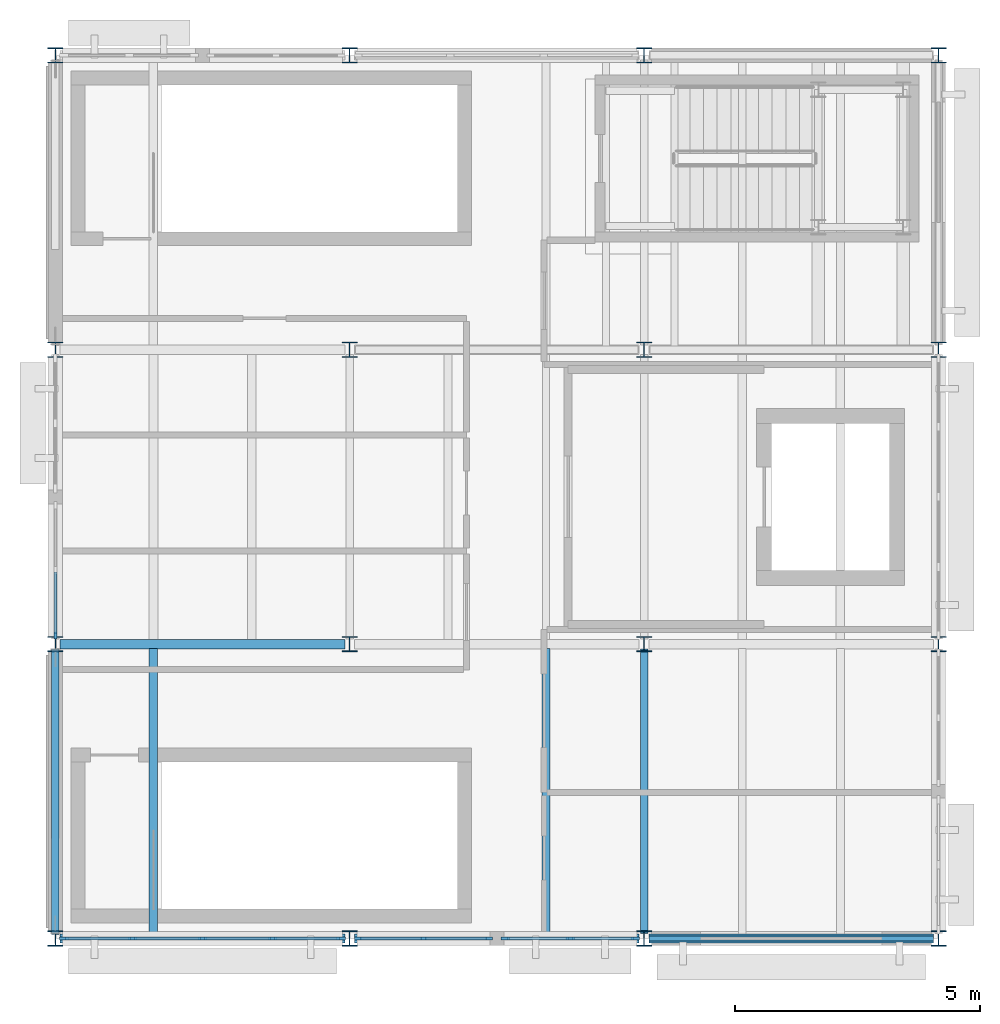
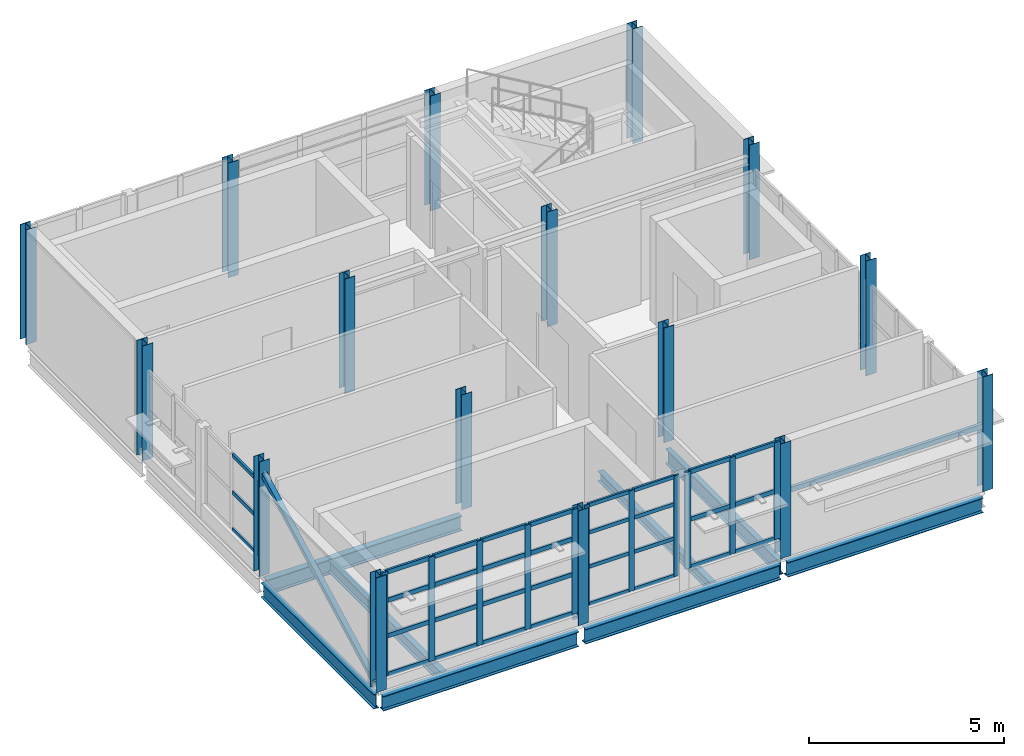
# One storey, part 1 of 8: 46 members, 16 columns, 9 beams, 4 elements without a shape of their own.
"""IFC4 building model written with IfcOpenShell, lengths in metres."""

from ifc_helpers import new_model, si_unit, direction, frame, origin, origin_2d, place, context, subcontext, project, spatial, rectangle, hollow_rectangle, i_section, extrude, material, material_profile, profile_set, type_object, element, aggregate, save


model = new_model("IFC4")

# Units and contexts
model_context = context("Model", 3, precision=1e-05, world=origin(), true_north=direction((0.0, 1.0)))
body_context = subcontext(model_context, "Body", "Model", "MODEL_VIEW")
ifc_project = project(units=[si_unit("LENGTHUNIT", "METRE"), si_unit("AREAUNIT", "SQUARE_METRE"), si_unit("VOLUMEUNIT", "CUBIC_METRE"), si_unit("PLANEANGLEUNIT", "RADIAN"), si_unit("MASSUNIT", "GRAM", prefix="KILO")], contexts=[model_context])

# Site, building, storey
site_placement = place(None, origin())
site = spatial("IfcSite", under=ifc_project, at=site_placement, CompositionType="ELEMENT")
building_placement = place(site_placement, origin())
building = spatial("IfcBuilding", under=site, at=building_placement, Name="Siltcreek Boulevard Central Fire Station", CompositionType="ELEMENT")
storey_placement = place(building_placement, frame((0.0, 0.0, 21.60009765625)))
storey = spatial("IfcBuildingStorey", under=building, at=storey_placement, Name="L06", CompositionType="ELEMENT", Elevation=21.60009765625)

# Columns
ifc_material_1 = material(Name="Structural steel ASTM A992 Gr50", Category="steel")
ifc_material_profile_1 = material_profile(ifc_material_1, i_section(OverallWidth=0.304931640625, OverallDepth=0.30810546875, WebThickness=0.010009765625, FlangeThickness=0.015380859375, at=origin_2d()), Name="W310X97")
ifc_profile_set_1 = profile_set([ifc_material_profile_1], Name="Structural steel ASTM A992 Gr50")
column_type = type_object("IfcColumnType", Name="COL_W310X97", PredefinedType="COLUMN", material=ifc_profile_set_1)
for number, where, z_axis, x_axis, name in (
    (1, (42.0, 94.199951171875, 0.0), (0.0, 0.0, 1.0), (1.0, 0.0, 0.0), "L06 structural column COLG-L06-420-942"),
    (2, (42.0, 100.199951171875, 0.0), (0.0, 0.0, 1.0), (1.0, 0.0, 0.0), "L06 structural column COLG-L06-420-1002"),
    (3, (42.0, 106.199951171875, 0.0), (0.0, 0.0, 1.0), (1.0, 0.0, 0.0), "L06 structural column COLG-L06-420-1062"),
    (4, (42.0, 112.199951171875, 0.0), (0.0, 0.0, 1.0), (1.0, 0.0, 0.0), "L06 structural column COLG-L06-420-1122"),
    (5, (48.0, 94.199951171875, 0.0), (0.0, 0.0, 1.0), (1.0, 0.0, 0.0), "L06 structural column COLG-L06-480-942"),
    (6, (48.0, 100.199951171875, 0.0), (0.0, 0.0, 1.0), (1.0, 0.0, 0.0), "L06 structural column COLG-L06-480-1002"),
    (7, (48.0, 106.199951171875, 0.0), (0.0, 0.0, 1.0), (1.0, 0.0, 0.0), "L06 structural column COLG-L06-480-1062"),
    (8, (48.0, 112.199951171875, 0.0), (0.0, 0.0, 1.0), (1.0, 0.0, 0.0), "L06 structural column COLG-L06-480-1122"),
    (9, (54.0, 94.199951171875, 0.0), (0.0, 0.0, 1.0), (1.0, 0.0, 0.0), "L06 structural column COLG-L06-540-942"),
    (10, (54.0, 100.199951171875, 0.0), (0.0, 0.0, 1.0), (1.0, 0.0, 0.0), "L06 structural column COLG-L06-540-1002"),
    (11, (54.0, 106.199951171875, 0.0), (0.0, 0.0, 1.0), (1.0, 0.0, 0.0), "L06 structural column COLG-L06-540-1062"),
    (12, (54.0, 112.199951171875, 0.0), (0.0, 0.0, 1.0), (1.0, 0.0, 0.0), "L06 structural column COLG-L06-540-1122"),
    (13, (60.0, 94.199951171875, 0.0), (0.0, 0.0, 1.0), (1.0, 0.0, 0.0), "L06 structural column COLG-L06-600-942"),
    (14, (60.0, 100.199951171875, 0.0), (0.0, 0.0, 1.0), (1.0, 0.0, 0.0), "L06 structural column COLG-L06-600-1002"),
    (15, (60.0, 106.199951171875, 0.0), (0.0, 0.0, 1.0), (1.0, 0.0, 0.0), "L06 structural column COLG-L06-600-1062"),
    (16, (60.0, 112.199951171875, 0.0), (0.0, 0.0, 1.0), (1.0, 0.0, 0.0), "L06 structural column COLG-L06-600-1122"),
):
    element("IfcColumn", number, at=place(storey_placement, frame(where, z_axis=z_axis, x_axis=x_axis)), inside=storey, type_object=column_type, Name=name, PredefinedType="COLUMN", context=body_context, shape_type="SweptSolid", body=[
        extrude(i_section(OverallWidth=0.304931640625, OverallDepth=0.30810546875, WebThickness=0.010009765625, FlangeThickness=0.015380859375, at=origin_2d()), origin(), (0.0, 0.0, 1.0), 3.599853515625),
    ])

# Beams
ifc_material_profile_2 = material_profile(ifc_material_1, i_section(OverallWidth=0.154052734375, OverallDepth=0.458984375, WebThickness=0.009033203125, FlangeThickness=0.015380859375, at=origin_2d()), Name="W460X68")
ifc_profile_set_2 = profile_set([ifc_material_profile_2], Name="Structural steel ASTM A992 Gr50")
beam_type_1 = type_object("IfcBeamType", Name="BM_W460X68", PredefinedType="BEAM", material=ifc_profile_set_2)
for number, where, z_axis, x_axis, name in (
    (17, (42.0, 94.300048828125, -0.469482421875), (0.0, 1.0, 0.0), (-1.0, 0.0, 0.0), "L06 primary steel girder GY-0675"),
    (18, (54.0, 94.300048828125, -0.469482421875), (0.0, 1.0, 0.0), (-1.0, 0.0, 0.0), "L06 primary steel girder GY-0679"),
):
    element("IfcBeam", number, at=place(storey_placement, frame(where, z_axis=z_axis, x_axis=x_axis)), inside=storey, type_object=beam_type_1, Name=name, PredefinedType="BEAM", context=body_context, shape_type="SweptSolid", body=[
        extrude(i_section(OverallWidth=0.154052734375, OverallDepth=0.458984375, WebThickness=0.009033203125, FlangeThickness=0.015380859375, at=origin_2d()), origin(), (0.0, 0.0, 1.0), 5.800048828125),
    ])
ifc_material_profile_3 = material_profile(ifc_material_1, i_section(OverallWidth=0.19189453125, OverallDepth=0.462890625, WebThickness=0.010498046875, FlangeThickness=0.017578125, at=origin_2d()), Name="W460X89")
ifc_profile_set_3 = profile_set([ifc_material_profile_3], Name="Structural steel ASTM A992 Gr50")
beam_type_2 = type_object("IfcBeamType", Name="BM_W460X89", PredefinedType="BEAM", material=ifc_profile_set_3)
for number, where, z_axis, x_axis, name in (
    (19, (42.10009765625, 94.199951171875, -0.4716796875), (1.0, 0.0, 0.0), (0.0, 1.0, 0.0), "L06 primary steel girder GX-0663"),
    (20, (48.10009765625, 94.199951171875, -0.4716796875), (1.0, 0.0, 0.0), (0.0, 1.0, 0.0), "L06 primary steel girder GX-0664"),
    (21, (54.10009765625, 94.199951171875, -0.4716796875), (1.0, 0.0, 0.0), (0.0, 1.0, 0.0), "L06 primary steel girder GX-0665"),
    (22, (42.10009765625, 100.199951171875, -0.4716796875), (1.0, 0.0, 0.0), (0.0, 1.0, 0.0), "L06 primary steel girder GX-0666"),
):
    element("IfcBeam", number, at=place(storey_placement, frame(where, z_axis=z_axis, x_axis=x_axis)), inside=storey, type_object=beam_type_2, Name=name, PredefinedType="BEAM", context=body_context, shape_type="SweptSolid", body=[
        extrude(i_section(OverallWidth=0.19189453125, OverallDepth=0.462890625, WebThickness=0.010498046875, FlangeThickness=0.017578125, at=origin_2d()), origin(), (0.0, 0.0, 1.0), 5.7998046875),
    ])

# Member
ifc_material_2 = material(Name="Structural steel ASTM A500 GrC", Category="steel")
ifc_material_profile_4 = material_profile(ifc_material_2, hollow_rectangle(XDim=0.14990234375, YDim=0.14990234375, WallThickness=0.008056640625, at=origin_2d()), Name="HSS150X150X8.0")
ifc_profile_set_4 = profile_set([ifc_material_profile_4], Name="Structural steel ASTM A500 GrC")
member_type_1 = type_object("IfcMemberType", Name="BR_HSS150_8", PredefinedType="BRACE", material=ifc_profile_set_4)
member_1_placement = place(storey_placement, frame((42.0, 94.320068359375, 0.099853515625), z_axis=(0.0, 0.883747822863, 0.467963444709), x_axis=(-1.0, 0.0, 0.0)))
element("IfcMember", 23, at=member_1_placement, inside=storey, type_object=member_type_1, Name="L06 SCBF concentrically braced frame BR-018", PredefinedType="BRACE", context=body_context, shape_type="SweptSolid", body=[
    extrude(hollow_rectangle(XDim=0.14990234375, YDim=0.14990234375, WallThickness=0.008056640625, at=origin_2d()), origin(), (0.0, 0.0, 1.0), 6.517822265625),
])

# Curtain wall, members
ifc_material_3 = material(Name="Anodized aluminum and low-E insulated glazing", Category="aluminium")
curtain_wall_type_1 = type_object("IfcCurtainWallType", Name="CW_SYS_20", PredefinedType="USERDEFINED", material=ifc_material_3)
curtain_wall_1_placement = place(storey_placement, origin())
curtain_wall_1 = element("IfcCurtainWall", 24, at=curtain_wall_1_placement, inside=storey, type_object=curtain_wall_type_1, Name="L06 V3 unitised curtain wall CW-079", ObjectType="CURTAIN WALL", PredefinedType="USERDEFINED")
ifc_material_4 = material(Name="Anodized 6063-T6 aluminum framing", Category="aluminium")
ifc_material_profile_5 = material_profile(ifc_material_4, rectangle(XDim=0.06005859375, YDim=0.14990234375, at=origin_2d()), Name="MULL60X150")
ifc_profile_set_5 = profile_set([ifc_material_profile_5], Name="Anodized 6063-T6 aluminum framing")
member_type_2 = type_object("IfcMemberType", Name="CWM_60X150", PredefinedType="MULLION", material=ifc_profile_set_5)
member_2_placement = place(storey_placement, frame((48.175048828125, 94.199951171875, 0.43994140625), z_axis=(0.0, 0.0, 1.0), x_axis=(0.0, 1.0, 0.0)))
member_2 = element("IfcMember", 25, at=member_2_placement, type_object=member_type_2, Name="CW-079 mullion 1", PredefinedType="MULLION", context=body_context, shape_type="SweptSolid", body=[
    extrude(rectangle(XDim=0.06005859375, YDim=0.14990234375, at=origin_2d()), origin(), (0.0, 0.0, 1.0), 3.159912109375),
])
member_3_placement = place(storey_placement, frame((49.50244140625, 94.199951171875, 0.43994140625), z_axis=(0.0, 0.0, 1.0), x_axis=(0.0, 1.0, 0.0)))
member_3 = element("IfcMember", 26, at=member_3_placement, type_object=member_type_2, Name="CW-079 mullion 2", PredefinedType="MULLION", context=body_context, shape_type="SweptSolid", body=[
    extrude(rectangle(XDim=0.06005859375, YDim=0.14990234375, at=origin_2d()), origin(), (0.0, 0.0, 1.0), 3.159912109375),
])
member_4_placement = place(storey_placement, frame((50.830078125, 94.199951171875, 0.43994140625), z_axis=(0.0, 0.0, 1.0), x_axis=(0.0, 1.0, 0.0)))
member_4 = element("IfcMember", 27, at=member_4_placement, type_object=member_type_2, Name="CW-079 mullion 3", PredefinedType="MULLION", context=body_context, shape_type="SweptSolid", body=[
    extrude(rectangle(XDim=0.06005859375, YDim=0.14990234375, at=origin_2d()), origin(), (0.0, 0.0, 1.0), 3.159912109375),
])

# Curtain wall, member
curtain_wall_type_2 = type_object("IfcCurtainWallType", Name="CW_SYS_26", PredefinedType="USERDEFINED", material=ifc_material_3)
curtain_wall_2_placement = place(storey_placement, origin())
curtain_wall_2 = element("IfcCurtainWall", 28, at=curtain_wall_2_placement, inside=storey, type_object=curtain_wall_type_2, Name="L06 V3 unitised curtain wall CW-085", ObjectType="CURTAIN WALL", PredefinedType="USERDEFINED")
member_5_placement = place(storey_placement, frame((42.0, 100.375, 0.43994140625), z_axis=(0.0, 0.0, 1.0), x_axis=(1.0, 0.0, 0.0)))
member_5 = element("IfcMember", 29, at=member_5_placement, type_object=member_type_2, Name="CW-085 mullion 3", PredefinedType="MULLION", context=body_context, shape_type="SweptSolid", body=[
    extrude(rectangle(XDim=0.06005859375, YDim=0.14990234375, at=origin_2d()), origin(), (0.0, 0.0, 1.0), 2.372802734375),
])

# Curtain wall, members
curtain_wall_type_3 = type_object("IfcCurtainWallType", Name="CW_SYS_19", PredefinedType="USERDEFINED", material=ifc_material_3)
curtain_wall_3_placement = place(storey_placement, origin())
curtain_wall_3 = element("IfcCurtainWall", 30, at=curtain_wall_3_placement, inside=storey, type_object=curtain_wall_type_3, Name="L06 V3 unitised curtain wall CW-078", ObjectType="CURTAIN WALL", PredefinedType="USERDEFINED")
ifc_material_profile_6 = material_profile(ifc_material_4, rectangle(XDim=0.06494140625, YDim=0.175048828125, at=origin_2d()), Name="MULL65X175")
ifc_profile_set_6 = profile_set([ifc_material_profile_6], Name="Anodized 6063-T6 aluminum framing")
member_type_3 = type_object("IfcMemberType", Name="CWM_65X175", PredefinedType="MULLION", material=ifc_profile_set_6)
member_6_placement = place(storey_placement, frame((42.177490234375, 94.199951171875, 0.31982421875), z_axis=(0.0, 0.0, 1.0), x_axis=(0.0, 1.0, 0.0)))
member_6 = element("IfcMember", 31, at=member_6_placement, type_object=member_type_3, Name="CW-078 mullion 1", PredefinedType="MULLION", context=body_context, shape_type="SweptSolid", body=[
    extrude(rectangle(XDim=0.06494140625, YDim=0.175048828125, at=origin_2d()), origin(), (0.0, 0.0, 1.0), 3.280029296875),
])
member_7_placement = place(storey_placement, frame((43.572509765625, 94.199951171875, 0.31982421875), z_axis=(0.0, 0.0, 1.0), x_axis=(0.0, 1.0, 0.0)))
member_7 = element("IfcMember", 32, at=member_7_placement, type_object=member_type_3, Name="CW-078 mullion 2", PredefinedType="MULLION", context=body_context, shape_type="SweptSolid", body=[
    extrude(rectangle(XDim=0.06494140625, YDim=0.175048828125, at=origin_2d()), origin(), (0.0, 0.0, 1.0), 3.280029296875),
])
member_8_placement = place(storey_placement, frame((45.0, 94.199951171875, 0.31982421875), z_axis=(0.0, 0.0, 1.0), x_axis=(0.0, 1.0, 0.0)))
member_8 = element("IfcMember", 33, at=member_8_placement, type_object=member_type_3, Name="CW-078 mullion 3", PredefinedType="MULLION", context=body_context, shape_type="SweptSolid", body=[
    extrude(rectangle(XDim=0.06494140625, YDim=0.175048828125, at=origin_2d()), origin(), (0.0, 0.0, 1.0), 3.280029296875),
])
member_9_placement = place(storey_placement, frame((46.427490234375, 94.199951171875, 0.31982421875), z_axis=(0.0, 0.0, 1.0), x_axis=(0.0, 1.0, 0.0)))
member_9 = element("IfcMember", 34, at=member_9_placement, type_object=member_type_3, Name="CW-078 mullion 4", PredefinedType="MULLION", context=body_context, shape_type="SweptSolid", body=[
    extrude(rectangle(XDim=0.06494140625, YDim=0.175048828125, at=origin_2d()), origin(), (0.0, 0.0, 1.0), 3.280029296875),
])
member_10_placement = place(storey_placement, frame((47.822509765625, 94.199951171875, 0.31982421875), z_axis=(0.0, 0.0, 1.0), x_axis=(0.0, 1.0, 0.0)))
member_10 = element("IfcMember", 35, at=member_10_placement, type_object=member_type_3, Name="CW-078 mullion 5", PredefinedType="MULLION", context=body_context, shape_type="SweptSolid", body=[
    extrude(rectangle(XDim=0.06494140625, YDim=0.175048828125, at=origin_2d()), origin(), (0.0, 0.0, 1.0), 3.280029296875),
])

curtain_wall_type_4 = type_object("IfcCurtainWallType", Name="CW_SYS_21", PredefinedType="USERDEFINED", material=ifc_material_3)
curtain_wall_4_placement = place(storey_placement, origin())
curtain_wall_4 = element("IfcCurtainWall", 36, at=curtain_wall_4_placement, inside=storey, type_object=curtain_wall_type_4, Name="L06 V3 unitised curtain wall CW-080", ObjectType="CURTAIN WALL", PredefinedType="USERDEFINED")
member_11_placement = place(storey_placement, frame((51.172607421875, 94.199951171875, 0.559814453125), z_axis=(0.0, 0.0, 1.0), x_axis=(0.0, 1.0, 0.0)))
member_11 = element("IfcMember", 37, at=member_11_placement, type_object=member_type_3, Name="CW-080 mullion 1", PredefinedType="MULLION", context=body_context, shape_type="SweptSolid", body=[
    extrude(rectangle(XDim=0.06494140625, YDim=0.175048828125, at=origin_2d()), origin(), (0.0, 0.0, 1.0), 3.0400390625),
])
member_12_placement = place(storey_placement, frame((52.49755859375, 94.199951171875, 0.559814453125), z_axis=(0.0, 0.0, 1.0), x_axis=(0.0, 1.0, 0.0)))
member_12 = element("IfcMember", 38, at=member_12_placement, type_object=member_type_3, Name="CW-080 mullion 2", PredefinedType="MULLION", context=body_context, shape_type="SweptSolid", body=[
    extrude(rectangle(XDim=0.06494140625, YDim=0.175048828125, at=origin_2d()), origin(), (0.0, 0.0, 1.0), 3.0400390625),
])
member_13_placement = place(storey_placement, frame((53.822509765625, 94.199951171875, 0.559814453125), z_axis=(0.0, 0.0, 1.0), x_axis=(0.0, 1.0, 0.0)))
member_13 = element("IfcMember", 39, at=member_13_placement, type_object=member_type_3, Name="CW-080 mullion 3", PredefinedType="MULLION", context=body_context, shape_type="SweptSolid", body=[
    extrude(rectangle(XDim=0.06494140625, YDim=0.175048828125, at=origin_2d()), origin(), (0.0, 0.0, 1.0), 3.0400390625),
])

# Member
ifc_material_profile_7 = material_profile(ifc_material_4, rectangle(XDim=0.06005859375, YDim=0.114990234375, at=origin_2d()), Name="TRAN60X115")
ifc_profile_set_7 = profile_set([ifc_material_profile_7], Name="Anodized 6063-T6 aluminum framing")
member_type_4 = type_object("IfcMemberType", Name="CWT_60X115", PredefinedType="USERDEFINED", material=ifc_profile_set_7)
member_14_placement = place(storey_placement, frame((48.205078125, 94.199951171875, 0.469970703125), z_axis=(1.0, 0.0, 0.0), x_axis=(0.0, 1.0, 0.0)))
member_14 = element("IfcMember", 40, at=member_14_placement, type_object=member_type_4, Name="CW-079 transom 1.1", ObjectType="TRANSOM", PredefinedType="USERDEFINED", context=body_context, shape_type="SweptSolid", body=[
    extrude(rectangle(XDim=0.06005859375, YDim=0.114990234375, at=origin_2d()), origin(), (0.0, 0.0, 1.0), 1.267333984375),
])

member_15_placement = place(storey_placement, frame((48.205078125, 94.199951171875, 1.640625), z_axis=(1.0, 0.0, 0.0), x_axis=(0.0, 1.0, 0.0)))
member_15 = element("IfcMember", 41, at=member_15_placement, type_object=member_type_4, Name="CW-079 transom 1.2", ObjectType="TRANSOM", PredefinedType="USERDEFINED", context=body_context, shape_type="SweptSolid", body=[
    extrude(rectangle(XDim=0.06005859375, YDim=0.114990234375, at=origin_2d()), origin(), (0.0, 0.0, 1.0), 1.267333984375),
])

member_16_placement = place(storey_placement, frame((48.205078125, 94.199951171875, 2.715087890625), z_axis=(1.0, 0.0, 0.0), x_axis=(0.0, 1.0, 0.0)))
member_16 = element("IfcMember", 42, at=member_16_placement, type_object=member_type_4, Name="CW-079 transom 1.3", ObjectType="TRANSOM", PredefinedType="USERDEFINED", context=body_context, shape_type="SweptSolid", body=[
    extrude(rectangle(XDim=0.06005859375, YDim=0.114990234375, at=origin_2d()), origin(), (0.0, 0.0, 1.0), 1.267333984375),
])

member_17_placement = place(storey_placement, frame((48.205078125, 94.199951171875, 3.56982421875), z_axis=(1.0, 0.0, 0.0), x_axis=(0.0, 1.0, 0.0)))
member_17 = element("IfcMember", 43, at=member_17_placement, type_object=member_type_4, Name="CW-079 transom 1.4", ObjectType="TRANSOM", PredefinedType="USERDEFINED", context=body_context, shape_type="SweptSolid", body=[
    extrude(rectangle(XDim=0.06005859375, YDim=0.114990234375, at=origin_2d()), origin(), (0.0, 0.0, 1.0), 1.267333984375),
])

member_18_placement = place(storey_placement, frame((49.532470703125, 94.199951171875, 0.469970703125), z_axis=(1.0, 0.0, 0.0), x_axis=(0.0, 1.0, 0.0)))
member_18 = element("IfcMember", 44, at=member_18_placement, type_object=member_type_4, Name="CW-079 transom 2.1", ObjectType="TRANSOM", PredefinedType="USERDEFINED", context=body_context, shape_type="SweptSolid", body=[
    extrude(rectangle(XDim=0.06005859375, YDim=0.114990234375, at=origin_2d()), origin(), (0.0, 0.0, 1.0), 1.267578125),
])

member_19_placement = place(storey_placement, frame((49.532470703125, 94.199951171875, 1.640625), z_axis=(1.0, 0.0, 0.0), x_axis=(0.0, 1.0, 0.0)))
member_19 = element("IfcMember", 45, at=member_19_placement, type_object=member_type_4, Name="CW-079 transom 2.2", ObjectType="TRANSOM", PredefinedType="USERDEFINED", context=body_context, shape_type="SweptSolid", body=[
    extrude(rectangle(XDim=0.06005859375, YDim=0.114990234375, at=origin_2d()), origin(), (0.0, 0.0, 1.0), 1.267578125),
])

member_20_placement = place(storey_placement, frame((49.532470703125, 94.199951171875, 2.715087890625), z_axis=(1.0, 0.0, 0.0), x_axis=(0.0, 1.0, 0.0)))
member_20 = element("IfcMember", 46, at=member_20_placement, type_object=member_type_4, Name="CW-079 transom 2.3", ObjectType="TRANSOM", PredefinedType="USERDEFINED", context=body_context, shape_type="SweptSolid", body=[
    extrude(rectangle(XDim=0.06005859375, YDim=0.114990234375, at=origin_2d()), origin(), (0.0, 0.0, 1.0), 1.267578125),
])

member_21_placement = place(storey_placement, frame((49.532470703125, 94.199951171875, 3.56982421875), z_axis=(1.0, 0.0, 0.0), x_axis=(0.0, 1.0, 0.0)))
member_21 = element("IfcMember", 47, at=member_21_placement, type_object=member_type_4, Name="CW-079 transom 2.4", ObjectType="TRANSOM", PredefinedType="USERDEFINED", context=body_context, shape_type="SweptSolid", body=[
    extrude(rectangle(XDim=0.06005859375, YDim=0.114990234375, at=origin_2d()), origin(), (0.0, 0.0, 1.0), 1.267578125),
])

aggregate(curtain_wall_1, [member_2, member_3, member_4, member_14, member_15, member_16, member_17, member_18, member_19, member_20, member_21])

member_22_placement = place(storey_placement, frame((42.0, 101.672607421875, 0.469970703125), z_axis=(0.0, -1.0, 0.0), x_axis=(1.0, 0.0, 0.0)))
member_22 = element("IfcMember", 48, at=member_22_placement, type_object=member_type_4, Name="CW-085 transom 2.1", ObjectType="TRANSOM", PredefinedType="USERDEFINED", context=body_context, shape_type="SweptSolid", body=[
    extrude(rectangle(XDim=0.06005859375, YDim=0.114990234375, at=origin_2d()), origin(), (0.0, 0.0, 1.0), 1.267578125),
])

member_23_placement = place(storey_placement, frame((42.0, 101.672607421875, 1.626220703125), z_axis=(0.0, -1.0, 0.0), x_axis=(1.0, 0.0, 0.0)))
member_23 = element("IfcMember", 49, at=member_23_placement, type_object=member_type_4, Name="CW-085 transom 2.2", ObjectType="TRANSOM", PredefinedType="USERDEFINED", context=body_context, shape_type="SweptSolid", body=[
    extrude(rectangle(XDim=0.06005859375, YDim=0.114990234375, at=origin_2d()), origin(), (0.0, 0.0, 1.0), 1.267578125),
])

member_24_placement = place(storey_placement, frame((42.0, 101.672607421875, 2.78271484375), z_axis=(0.0, -1.0, 0.0), x_axis=(1.0, 0.0, 0.0)))
member_24 = element("IfcMember", 50, at=member_24_placement, type_object=member_type_4, Name="CW-085 transom 2.3", ObjectType="TRANSOM", PredefinedType="USERDEFINED", context=body_context, shape_type="SweptSolid", body=[
    extrude(rectangle(XDim=0.06005859375, YDim=0.114990234375, at=origin_2d()), origin(), (0.0, 0.0, 1.0), 1.267578125),
])

aggregate(curtain_wall_2, [member_5, member_22, member_23, member_24])

ifc_material_profile_8 = material_profile(ifc_material_4, rectangle(XDim=0.06494140625, YDim=0.135009765625, at=origin_2d()), Name="TRAN65X135")
ifc_profile_set_8 = profile_set([ifc_material_profile_8], Name="Anodized 6063-T6 aluminum framing")
member_type_5 = type_object("IfcMemberType", Name="CWT_65X135", PredefinedType="USERDEFINED", material=ifc_profile_set_8)
member_25_placement = place(storey_placement, frame((42.2099609375, 94.199951171875, 0.352294921875), z_axis=(1.0, 0.0, 0.0), x_axis=(0.0, 1.0, 0.0)))
member_25 = element("IfcMember", 51, at=member_25_placement, type_object=member_type_5, Name="CW-078 transom 1.1", ObjectType="TRANSOM", PredefinedType="USERDEFINED", context=body_context, shape_type="SweptSolid", body=[
    extrude(rectangle(XDim=0.06494140625, YDim=0.135009765625, at=origin_2d()), origin(), (0.0, 0.0, 1.0), 1.330078125),
])

member_26_placement = place(storey_placement, frame((42.2099609375, 94.199951171875, 1.56640625), z_axis=(1.0, 0.0, 0.0), x_axis=(0.0, 1.0, 0.0)))
member_26 = element("IfcMember", 52, at=member_26_placement, type_object=member_type_5, Name="CW-078 transom 1.2", ObjectType="TRANSOM", PredefinedType="USERDEFINED", context=body_context, shape_type="SweptSolid", body=[
    extrude(rectangle(XDim=0.06494140625, YDim=0.135009765625, at=origin_2d()), origin(), (0.0, 0.0, 1.0), 1.330078125),
])

member_27_placement = place(storey_placement, frame((42.2099609375, 94.199951171875, 2.681396484375), z_axis=(1.0, 0.0, 0.0), x_axis=(0.0, 1.0, 0.0)))
member_27 = element("IfcMember", 53, at=member_27_placement, type_object=member_type_5, Name="CW-078 transom 1.3", ObjectType="TRANSOM", PredefinedType="USERDEFINED", context=body_context, shape_type="SweptSolid", body=[
    extrude(rectangle(XDim=0.06494140625, YDim=0.135009765625, at=origin_2d()), origin(), (0.0, 0.0, 1.0), 1.330078125),
])

member_28_placement = place(storey_placement, frame((42.2099609375, 94.199951171875, 3.5673828125), z_axis=(1.0, 0.0, 0.0), x_axis=(0.0, 1.0, 0.0)))
member_28 = element("IfcMember", 54, at=member_28_placement, type_object=member_type_5, Name="CW-078 transom 1.4", ObjectType="TRANSOM", PredefinedType="USERDEFINED", context=body_context, shape_type="SweptSolid", body=[
    extrude(rectangle(XDim=0.06494140625, YDim=0.135009765625, at=origin_2d()), origin(), (0.0, 0.0, 1.0), 1.330078125),
])

member_29_placement = place(storey_placement, frame((43.60498046875, 94.199951171875, 0.352294921875), z_axis=(1.0, 0.0, 0.0), x_axis=(0.0, 1.0, 0.0)))
member_29 = element("IfcMember", 55, at=member_29_placement, type_object=member_type_5, Name="CW-078 transom 2.1", ObjectType="TRANSOM", PredefinedType="USERDEFINED", context=body_context, shape_type="SweptSolid", body=[
    extrude(rectangle(XDim=0.06494140625, YDim=0.135009765625, at=origin_2d()), origin(), (0.0, 0.0, 1.0), 1.362548828125),
])

member_30_placement = place(storey_placement, frame((43.60498046875, 94.199951171875, 1.56640625), z_axis=(1.0, 0.0, 0.0), x_axis=(0.0, 1.0, 0.0)))
member_30 = element("IfcMember", 56, at=member_30_placement, type_object=member_type_5, Name="CW-078 transom 2.2", ObjectType="TRANSOM", PredefinedType="USERDEFINED", context=body_context, shape_type="SweptSolid", body=[
    extrude(rectangle(XDim=0.06494140625, YDim=0.135009765625, at=origin_2d()), origin(), (0.0, 0.0, 1.0), 1.362548828125),
])

member_31_placement = place(storey_placement, frame((43.60498046875, 94.199951171875, 2.681396484375), z_axis=(1.0, 0.0, 0.0), x_axis=(0.0, 1.0, 0.0)))
member_31 = element("IfcMember", 57, at=member_31_placement, type_object=member_type_5, Name="CW-078 transom 2.3", ObjectType="TRANSOM", PredefinedType="USERDEFINED", context=body_context, shape_type="SweptSolid", body=[
    extrude(rectangle(XDim=0.06494140625, YDim=0.135009765625, at=origin_2d()), origin(), (0.0, 0.0, 1.0), 1.362548828125),
])

member_32_placement = place(storey_placement, frame((43.60498046875, 94.199951171875, 3.5673828125), z_axis=(1.0, 0.0, 0.0), x_axis=(0.0, 1.0, 0.0)))
member_32 = element("IfcMember", 58, at=member_32_placement, type_object=member_type_5, Name="CW-078 transom 2.4", ObjectType="TRANSOM", PredefinedType="USERDEFINED", context=body_context, shape_type="SweptSolid", body=[
    extrude(rectangle(XDim=0.06494140625, YDim=0.135009765625, at=origin_2d()), origin(), (0.0, 0.0, 1.0), 1.362548828125),
])

member_33_placement = place(storey_placement, frame((45.032470703125, 94.199951171875, 0.352294921875), z_axis=(1.0, 0.0, 0.0), x_axis=(0.0, 1.0, 0.0)))
member_33 = element("IfcMember", 59, at=member_33_placement, type_object=member_type_5, Name="CW-078 transom 3.1", ObjectType="TRANSOM", PredefinedType="USERDEFINED", context=body_context, shape_type="SweptSolid", body=[
    extrude(rectangle(XDim=0.06494140625, YDim=0.135009765625, at=origin_2d()), origin(), (0.0, 0.0, 1.0), 1.362548828125),
])

member_34_placement = place(storey_placement, frame((45.032470703125, 94.199951171875, 1.56640625), z_axis=(1.0, 0.0, 0.0), x_axis=(0.0, 1.0, 0.0)))
member_34 = element("IfcMember", 60, at=member_34_placement, type_object=member_type_5, Name="CW-078 transom 3.2", ObjectType="TRANSOM", PredefinedType="USERDEFINED", context=body_context, shape_type="SweptSolid", body=[
    extrude(rectangle(XDim=0.06494140625, YDim=0.135009765625, at=origin_2d()), origin(), (0.0, 0.0, 1.0), 1.362548828125),
])

member_35_placement = place(storey_placement, frame((45.032470703125, 94.199951171875, 2.681396484375), z_axis=(1.0, 0.0, 0.0), x_axis=(0.0, 1.0, 0.0)))
member_35 = element("IfcMember", 61, at=member_35_placement, type_object=member_type_5, Name="CW-078 transom 3.3", ObjectType="TRANSOM", PredefinedType="USERDEFINED", context=body_context, shape_type="SweptSolid", body=[
    extrude(rectangle(XDim=0.06494140625, YDim=0.135009765625, at=origin_2d()), origin(), (0.0, 0.0, 1.0), 1.362548828125),
])

member_36_placement = place(storey_placement, frame((45.032470703125, 94.199951171875, 3.5673828125), z_axis=(1.0, 0.0, 0.0), x_axis=(0.0, 1.0, 0.0)))
member_36 = element("IfcMember", 62, at=member_36_placement, type_object=member_type_5, Name="CW-078 transom 3.4", ObjectType="TRANSOM", PredefinedType="USERDEFINED", context=body_context, shape_type="SweptSolid", body=[
    extrude(rectangle(XDim=0.06494140625, YDim=0.135009765625, at=origin_2d()), origin(), (0.0, 0.0, 1.0), 1.362548828125),
])

member_37_placement = place(storey_placement, frame((46.4599609375, 94.199951171875, 0.352294921875), z_axis=(1.0, 0.0, 0.0), x_axis=(0.0, 1.0, 0.0)))
member_37 = element("IfcMember", 63, at=member_37_placement, type_object=member_type_5, Name="CW-078 transom 4.1", ObjectType="TRANSOM", PredefinedType="USERDEFINED", context=body_context, shape_type="SweptSolid", body=[
    extrude(rectangle(XDim=0.06494140625, YDim=0.135009765625, at=origin_2d()), origin(), (0.0, 0.0, 1.0), 1.330078125),
])

member_38_placement = place(storey_placement, frame((46.4599609375, 94.199951171875, 1.56640625), z_axis=(1.0, 0.0, 0.0), x_axis=(0.0, 1.0, 0.0)))
member_38 = element("IfcMember", 64, at=member_38_placement, type_object=member_type_5, Name="CW-078 transom 4.2", ObjectType="TRANSOM", PredefinedType="USERDEFINED", context=body_context, shape_type="SweptSolid", body=[
    extrude(rectangle(XDim=0.06494140625, YDim=0.135009765625, at=origin_2d()), origin(), (0.0, 0.0, 1.0), 1.330078125),
])

member_39_placement = place(storey_placement, frame((46.4599609375, 94.199951171875, 2.681396484375), z_axis=(1.0, 0.0, 0.0), x_axis=(0.0, 1.0, 0.0)))
member_39 = element("IfcMember", 65, at=member_39_placement, type_object=member_type_5, Name="CW-078 transom 4.3", ObjectType="TRANSOM", PredefinedType="USERDEFINED", context=body_context, shape_type="SweptSolid", body=[
    extrude(rectangle(XDim=0.06494140625, YDim=0.135009765625, at=origin_2d()), origin(), (0.0, 0.0, 1.0), 1.330078125),
])

member_40_placement = place(storey_placement, frame((46.4599609375, 94.199951171875, 3.5673828125), z_axis=(1.0, 0.0, 0.0), x_axis=(0.0, 1.0, 0.0)))
member_40 = element("IfcMember", 66, at=member_40_placement, type_object=member_type_5, Name="CW-078 transom 4.4", ObjectType="TRANSOM", PredefinedType="USERDEFINED", context=body_context, shape_type="SweptSolid", body=[
    extrude(rectangle(XDim=0.06494140625, YDim=0.135009765625, at=origin_2d()), origin(), (0.0, 0.0, 1.0), 1.330078125),
])

aggregate(curtain_wall_3, [member_6, member_7, member_8, member_9, member_10, member_25, member_26, member_27, member_28, member_29, member_30, member_31, member_32, member_33, member_34, member_35, member_36, member_37, member_38, member_39, member_40])

member_41_placement = place(storey_placement, frame((51.205078125, 94.199951171875, 0.59228515625), z_axis=(1.0, 0.0, 0.0), x_axis=(0.0, 1.0, 0.0)))
member_41 = element("IfcMember", 67, at=member_41_placement, type_object=member_type_5, Name="CW-080 transom 1.1", ObjectType="TRANSOM", PredefinedType="USERDEFINED", context=body_context, shape_type="SweptSolid", body=[
    extrude(rectangle(XDim=0.06494140625, YDim=0.135009765625, at=origin_2d()), origin(), (0.0, 0.0, 1.0), 1.260009765625),
])

member_42_placement = place(storey_placement, frame((51.205078125, 94.199951171875, 2.079833984375), z_axis=(1.0, 0.0, 0.0), x_axis=(0.0, 1.0, 0.0)))
member_42 = element("IfcMember", 68, at=member_42_placement, type_object=member_type_5, Name="CW-080 transom 1.2", ObjectType="TRANSOM", PredefinedType="USERDEFINED", context=body_context, shape_type="SweptSolid", body=[
    extrude(rectangle(XDim=0.06494140625, YDim=0.135009765625, at=origin_2d()), origin(), (0.0, 0.0, 1.0), 1.260009765625),
])

member_43_placement = place(storey_placement, frame((51.205078125, 94.199951171875, 3.5673828125), z_axis=(1.0, 0.0, 0.0), x_axis=(0.0, 1.0, 0.0)))
member_43 = element("IfcMember", 69, at=member_43_placement, type_object=member_type_5, Name="CW-080 transom 1.3", ObjectType="TRANSOM", PredefinedType="USERDEFINED", context=body_context, shape_type="SweptSolid", body=[
    extrude(rectangle(XDim=0.06494140625, YDim=0.135009765625, at=origin_2d()), origin(), (0.0, 0.0, 1.0), 1.260009765625),
])

member_44_placement = place(storey_placement, frame((52.530029296875, 94.199951171875, 0.59228515625), z_axis=(1.0, 0.0, 0.0), x_axis=(0.0, 1.0, 0.0)))
member_44 = element("IfcMember", 70, at=member_44_placement, type_object=member_type_5, Name="CW-080 transom 2.1", ObjectType="TRANSOM", PredefinedType="USERDEFINED", context=body_context, shape_type="SweptSolid", body=[
    extrude(rectangle(XDim=0.06494140625, YDim=0.135009765625, at=origin_2d()), origin(), (0.0, 0.0, 1.0), 1.260009765625),
])

member_45_placement = place(storey_placement, frame((52.530029296875, 94.199951171875, 2.079833984375), z_axis=(1.0, 0.0, 0.0), x_axis=(0.0, 1.0, 0.0)))
member_45 = element("IfcMember", 71, at=member_45_placement, type_object=member_type_5, Name="CW-080 transom 2.2", ObjectType="TRANSOM", PredefinedType="USERDEFINED", context=body_context, shape_type="SweptSolid", body=[
    extrude(rectangle(XDim=0.06494140625, YDim=0.135009765625, at=origin_2d()), origin(), (0.0, 0.0, 1.0), 1.260009765625),
])

member_46_placement = place(storey_placement, frame((52.530029296875, 94.199951171875, 3.5673828125), z_axis=(1.0, 0.0, 0.0), x_axis=(0.0, 1.0, 0.0)))
member_46 = element("IfcMember", 72, at=member_46_placement, type_object=member_type_5, Name="CW-080 transom 2.3", ObjectType="TRANSOM", PredefinedType="USERDEFINED", context=body_context, shape_type="SweptSolid", body=[
    extrude(rectangle(XDim=0.06494140625, YDim=0.135009765625, at=origin_2d()), origin(), (0.0, 0.0, 1.0), 1.260009765625),
])

aggregate(curtain_wall_4, [member_11, member_12, member_13, member_41, member_42, member_43, member_44, member_45, member_46])

# Beams
ifc_material_profile_9 = material_profile(ifc_material_1, i_section(OverallWidth=0.166015625, OverallDepth=0.31298828125, WebThickness=0.006591796875, FlangeThickness=0.01123046875, at=origin_2d()), Name="W310X45")
ifc_profile_set_9 = profile_set([ifc_material_profile_9], Name="Structural steel ASTM A992 Gr50")
beam_type_3 = type_object("IfcBeamType", Name="JST_W310X45", PredefinedType="JOIST", material=ifc_profile_set_9)
beam_1_placement = place(storey_placement, frame((52.0, 94.2939453125, -0.396484375), z_axis=(0.0, 1.0, 0.0), x_axis=(-1.0, 0.0, 0.0)))
element("IfcBeam", 73, at=beam_1_placement, inside=storey, type_object=beam_type_3, Name="L06 secondary steel floor joist 0556", PredefinedType="JOIST", context=body_context, shape_type="SweptSolid", body=[
    extrude(i_section(OverallWidth=0.166015625, OverallDepth=0.31298828125, WebThickness=0.006591796875, FlangeThickness=0.01123046875, at=origin_2d()), origin(), (0.0, 0.0, 1.0), 5.81201171875),
])
ifc_material_profile_10 = material_profile(ifc_material_1, i_section(OverallWidth=0.172119140625, OverallDepth=0.35791015625, WebThickness=0.0078125, FlangeThickness=0.01318359375, at=origin_2d()), Name="W360X57")
ifc_profile_set_10 = profile_set([ifc_material_profile_10], Name="Structural steel ASTM A992 Gr50")
beam_type_4 = type_object("IfcBeamType", Name="JST_W360X57", PredefinedType="JOIST", material=ifc_profile_set_10)
beam_2_placement = place(storey_placement, frame((44.0, 94.2939453125, -0.419189453125), z_axis=(0.0, 1.0, 0.0), x_axis=(-1.0, 0.0, 0.0)))
element("IfcBeam", 74, at=beam_2_placement, inside=storey, type_object=beam_type_4, Name="L06 secondary steel floor joist 0555", PredefinedType="JOIST", context=body_context, shape_type="SweptSolid", body=[
    extrude(i_section(OverallWidth=0.172119140625, OverallDepth=0.35791015625, WebThickness=0.0078125, FlangeThickness=0.01318359375, at=origin_2d()), origin(), (0.0, 0.0, 1.0), 5.81201171875),
])
ifc_material_profile_11 = material_profile(ifc_material_2, hollow_rectangle(XDim=0.10009765625, YDim=0.14990234375, WallThickness=0.00634765625, at=origin_2d()), Name="HSS150X100X6.4")
ifc_profile_set_11 = profile_set([ifc_material_profile_11], Name="Structural steel ASTM A500 GrC")
beam_type_5 = type_object("IfcBeamType", Name="LIN_HSS150X100", PredefinedType="LINTEL", material=ifc_profile_set_11)
beam_3_placement = place(storey_placement, frame((54.10009765625, 94.199951171875, 1.969970703125), z_axis=(1.0, 0.0, 0.0), x_axis=(0.0, 1.0, 0.0)))
element("IfcBeam", 75, at=beam_3_placement, inside=storey, type_object=beam_type_5, Name="Exterior window steel lintel WLN-31", PredefinedType="LINTEL", context=body_context, shape_type="SweptSolid", body=[
    extrude(hollow_rectangle(XDim=0.10009765625, YDim=0.14990234375, WallThickness=0.00634765625, at=origin_2d()), origin(), (0.0, 0.0, 1.0), 5.7998046875),
])

save(model, "model.ifc")
